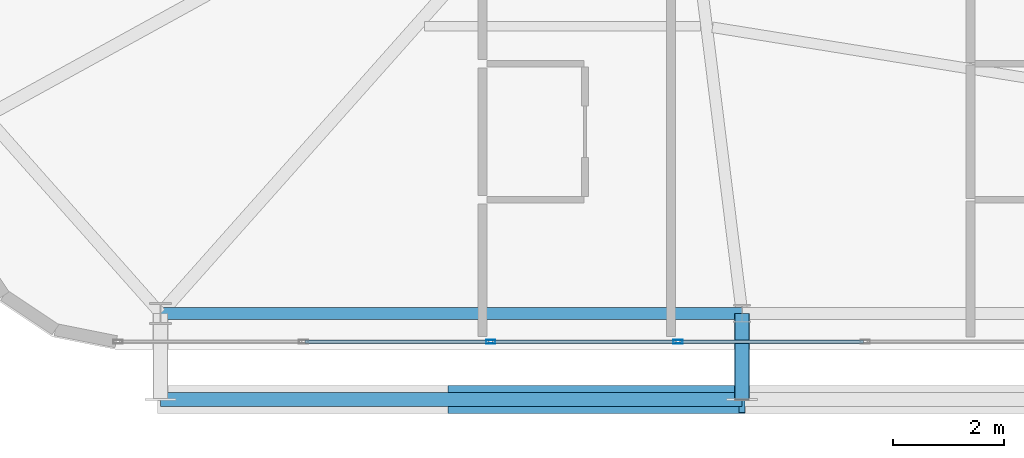
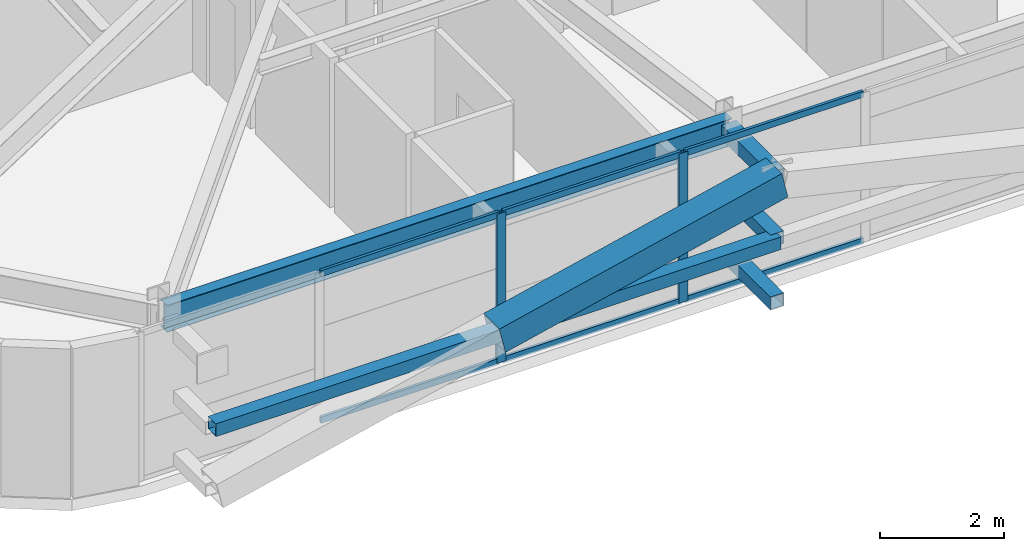
# One storey, part 6 of 58: 13 members, 1 beam, 1 element without a shape of its own.
"""IFC4 building model written with IfcOpenShell, lengths in metres."""

from ifc_helpers import new_model, si_unit, direction, frame, origin, origin_2d, place, context, subcontext, project, spatial, hollow_rectangle, i_section, extrude, source, transform, mapped, material, layer, layer_set, material_profile, profile_set, type_object, element, aggregate, save


model = new_model("IFC4")

# Units and contexts
model_context = context("Model", 3, precision=1e-05, world=origin(), true_north=direction((0.0, 1.0)))
body_context = subcontext(model_context, "Body", "Model", "MODEL_VIEW")
ifc_project = project(units=[si_unit("LENGTHUNIT", "METRE"), si_unit("AREAUNIT", "SQUARE_METRE"), si_unit("VOLUMEUNIT", "CUBIC_METRE"), si_unit("PLANEANGLEUNIT", "RADIAN"), si_unit("MASSUNIT", "GRAM", prefix="KILO")], contexts=[model_context])

# Site, building, storey
site_placement = place(None, origin())
site = spatial("IfcSite", under=ifc_project, at=site_placement, CompositionType="ELEMENT")
building_placement = place(site_placement, origin())
building = spatial("IfcBuilding", under=site, at=building_placement, Name="Taldren Reach Tower", CompositionType="ELEMENT")
storey_placement = place(building_placement, frame((0.0, 0.0, 35.699951171875)))
storey = spatial("IfcBuildingStorey", under=building, at=storey_placement, Name="L10", CompositionType="ELEMENT", Elevation=35.699951171875)

# Beam
ifc_material_1 = material(Name="Steel Gr 350 (350PLUS)", Category="steel")
ifc_material_profile_1 = material_profile(ifc_material_1, i_section(OverallWidth=0.208984375, OverallDepth=0.528076171875, WebThickness=0.009521484375, FlangeThickness=0.01318359375, at=origin_2d()), Name="530UB82.0")
ifc_profile_set_1 = profile_set([ifc_material_profile_1], Name="Steel Gr 350 (350PLUS)")
beam_type = type_object("IfcBeamType", Name="SP-UB530B", PredefinedType="SPANDREL", material=ifc_profile_set_1)
shared_shape_1 = source(origin(), body_context, "Body", "SweptSolid", [
    extrude(i_section(OverallWidth=0.208984375, OverallDepth=0.528076171875, WebThickness=0.009521484375, FlangeThickness=0.01318359375, at=origin_2d()), origin(), (0.0, 0.0, 1.0), 10.47998046875),
])
beam_placement = place(storey_placement, frame((8.800048828125, 2.14990234375, 2.666015625), z_axis=(1.0, 0.0, 0.0), x_axis=(0.0, 1.0, 0.0)))
element("IfcBeam", 1, at=beam_placement, inside=storey, type_object=beam_type, Name="Perimeter spandrel B1 S1-S2 L10", PredefinedType="SPANDREL", context=body_context, shape_type="MappedRepresentation", body=[
    mapped(shared_shape_1, transform((0.0, 0.0, 0.0), scale=1.0)),
])

# Members
ifc_material_2 = material(Name="Steel Gr 450 (C450L0)", Category="steel")
ifc_material_profile_2 = material_profile(ifc_material_2, hollow_rectangle(XDim=0.27490234375, YDim=0.27490234375, WallThickness=0.00927734375, at=origin_2d()), Name="275x275x9.3SHS")
ifc_profile_set_2 = profile_set([ifc_material_profile_2], Name="Steel Gr 450 (C450L0)")
member_type_1 = type_object("IfcMemberType", Name="MB-TIE273", PredefinedType="STRUT", material=ifc_profile_set_2)
shared_shape_2 = source(origin(), body_context, "Body", "SweptSolid", [
    extrude(hollow_rectangle(XDim=0.27490234375, YDim=0.27490234375, WallThickness=0.00927734375, at=origin_2d()), origin(), (0.0, 0.0, 1.0), 1.5498046875),
])
member_1_placement = place(storey_placement, frame((19.280029296875, 2.14990234375, 2.650146484375), z_axis=(0.0, -1.0, 0.0), x_axis=(1.0, 0.0, 0.0)))
element("IfcMember", 2, at=member_1_placement, inside=storey, type_object=member_type_1, Name="Exoskeleton diaphragm tie strut B1-S2 L10", PredefinedType="STRUT", context=body_context, shape_type="MappedRepresentation", body=[
    mapped(shared_shape_2, transform((0.0, 0.0, 0.0), scale=1.0)),
])
ifc_material_profile_3 = material_profile(ifc_material_2, hollow_rectangle(XDim=0.510009765625, YDim=0.510009765625, WallThickness=0.02001953125, at=origin_2d()), Name="510x510x20.0SHS")
ifc_profile_set_3 = profile_set([ifc_material_profile_3], Name="Steel Gr 450 (C450L0)")
member_type_2 = type_object("IfcMemberType", Name="MB-EXO508", PredefinedType="BRACE", material=ifc_profile_set_3)
shared_shape_3 = source(origin(), body_context, "Body", "SweptSolid", [
    extrude(hollow_rectangle(XDim=0.510009765625, YDim=0.510009765625, WallThickness=0.02001953125, at=origin_2d()), origin(), (0.0, 0.0, 1.0), 5.37890625),
])
member_2_placement = place(storey_placement, frame((14.0400390625, 0.60009765625, 1.43505859375), z_axis=(0.97415197996, 0.0, 0.225893603143), x_axis=(0.0, 1.0, 0.0)))
element("IfcMember", 3, at=member_2_placement, inside=storey, type_object=member_type_2, Name="Exoskeleton Diagrid Brace B1-S1 L10", PredefinedType="BRACE", context=body_context, shape_type="MappedRepresentation", body=[
    mapped(shared_shape_3, transform((0.0, 0.0, 0.0), scale=1.0)),
])
ifc_material_3 = material(Name="Steel Gr 350 (C350L0)", Category="steel")
ifc_material_profile_4 = material_profile(ifc_material_3, hollow_rectangle(XDim=0.25, YDim=0.25, WallThickness=0.010009765625, at=origin_2d()), Name="250x250x10.0SHS")
ifc_profile_set_4 = profile_set([ifc_material_profile_4], Name="Steel Gr 350 (C350L0)")
member_type_3 = type_object("IfcMemberType", Name="MB-POST250", PredefinedType="POST", material=ifc_profile_set_4)
shared_shape_4 = source(origin(), body_context, "Body", "SweptSolid", [
    extrude(hollow_rectangle(XDim=0.25, YDim=0.25, WallThickness=0.010009765625, at=origin_2d()), origin(), (0.0, 0.0, 1.0), 10.47998046875),
])
member_3_placement = place(storey_placement, frame((8.800048828125, 0.60009765625, 1.43505859375), z_axis=(1.0, 0.0, 0.0), x_axis=(0.0, 1.0, 0.0)))
element("IfcMember", 4, at=member_3_placement, inside=storey, type_object=member_type_3, Name="Exoskeleton mid-height ring chord B1-S1 L10", PredefinedType="POST", context=body_context, shape_type="MappedRepresentation", body=[
    mapped(shared_shape_4, transform((0.0, 0.0, 0.0), scale=1.0)),
])
shared_shape_5 = source(origin(), body_context, "Body", "SweptSolid", [
    extrude(hollow_rectangle(XDim=0.25, YDim=0.25, WallThickness=0.010009765625, at=origin_2d()), origin(), (0.0, 0.0, 1.0), 1.5498046875),
])
for number, where, z_axis, x_axis, name in (
    (5, (19.280029296875, 2.14990234375, 0.219970703125), (0.0, -1.0, 0.0), (1.0, 0.0, 0.0), "Exoskeleton base diaphragm tie strut B1-S2 L10"),
    (6, (19.280029296875, 2.14990234375, 1.43505859375), (0.0, -1.0, 0.0), (1.0, 0.0, 0.0), "Exoskeleton mid-tier diaphragm tie B1-S2 L10"),
):
    element("IfcMember", number, at=place(storey_placement, frame(where, z_axis=z_axis, x_axis=x_axis)), inside=storey, type_object=member_type_3, Name=name, PredefinedType="POST", context=body_context, shape_type="MappedRepresentation", body=[
        mapped(shared_shape_5, transform((0.0, 0.0, 0.0), scale=1.0)),
    ])

# Curtain wall, members
ifc_material_4 = material(Name="Aluminium and Low-E Glass Unitised System", Category="aluminium")
ifc_layer = layer(ifc_material_4, 0.159912109375)
ifc_layer_set = layer_set([ifc_layer], Name="Aluminium and Low-E Glass Unitised System")
curtain_wall_type = type_object("IfcCurtainWallType", Name="CW-SYS-2", PredefinedType="NOTDEFINED", material=ifc_layer_set)
curtain_wall_placement = place(storey_placement, origin())
curtain_wall = element("IfcCurtainWall", 7, at=curtain_wall_placement, inside=storey, type_object=curtain_wall_type, Name="Unitised curtain wall CW-L10-S", PredefinedType="NOTDEFINED")
ifc_material_5 = material(Name="Anodised Aluminium 6063-T6", Category="aluminium")
ifc_material_profile_5 = material_profile(ifc_material_5, hollow_rectangle(XDim=0.06494140625, YDim=0.1650390625, WallThickness=0.00390625, at=origin_2d()), Name="ALU-165x65x4RHS")
ifc_profile_set_5 = profile_set([ifc_material_profile_5], Name="Anodised Aluminium 6063-T6")
member_type_4 = type_object("IfcMemberType", Name="CW-MUL-165", PredefinedType="MULLION", material=ifc_profile_set_5)
shared_shape_6 = source(origin(), body_context, "Body", "SweptSolid", [
    extrude(hollow_rectangle(XDim=0.06494140625, YDim=0.1650390625, WallThickness=0.00390625, at=origin_2d()), origin(), (0.0, 0.0, 1.0), 2.929931640625),
])
member_4_placement = place(storey_placement, frame((14.75, 1.639892578125, 0.0), z_axis=(0.0, 0.0, 1.0), x_axis=(0.0, 1.0, 0.0)))
member_4 = element("IfcMember", 8, at=member_4_placement, type_object=member_type_4, Name="CW-2 mullion 3", PredefinedType="MULLION", context=body_context, shape_type="MappedRepresentation", body=[
    mapped(shared_shape_6, transform((0.0, 0.0, 0.0), scale=1.0)),
])
member_5_placement = place(storey_placement, frame((18.125, 1.639892578125, 0.0), z_axis=(0.0, 0.0, 1.0), x_axis=(0.0, 1.0, 0.0)))
member_5 = element("IfcMember", 9, at=member_5_placement, type_object=member_type_4, Name="CW-2 mullion 4", PredefinedType="MULLION", context=body_context, shape_type="MappedRepresentation", body=[
    mapped(shared_shape_6, transform((0.0, 0.0, 0.0), scale=1.0)),
])
ifc_material_profile_6 = material_profile(ifc_material_5, hollow_rectangle(XDim=0.054931640625, YDim=0.1201171875, WallThickness=0.0029296875, at=origin_2d()), Name="ALU-120x55x3RHS")
ifc_profile_set_6 = profile_set([ifc_material_profile_6], Name="Anodised Aluminium 6063-T6")
member_type_5 = type_object("IfcMemberType", Name="CW-TRN-135", PredefinedType="USERDEFINED", material=ifc_profile_set_6)
shared_shape_7 = source(origin(), body_context, "Body", "SweptSolid", [
    extrude(hollow_rectangle(XDim=0.054931640625, YDim=0.1201171875, WallThickness=0.0029296875, at=origin_2d()), origin(), (0.0, 0.0, 1.0), 3.31005859375),
])
member_6_placement = place(storey_placement, frame((11.407470703125, 1.639892578125, 0.027587890625), z_axis=(1.0, 0.0, 0.0), x_axis=(0.0, 1.0, 0.0)))
member_6 = element("IfcMember", 10, at=member_6_placement, type_object=member_type_5, Name="CW-2 transom 2.1", ObjectType="TRANSOM", PredefinedType="USERDEFINED", context=body_context, shape_type="MappedRepresentation", body=[
    mapped(shared_shape_7, transform((0.0, 0.0, 0.0), scale=1.0)),
])
member_7_placement = place(storey_placement, frame((11.407470703125, 1.639892578125, 2.902587890625), z_axis=(1.0, 0.0, 0.0), x_axis=(0.0, 1.0, 0.0)))
member_7 = element("IfcMember", 11, at=member_7_placement, type_object=member_type_5, Name="CW-2 transom 2.2", ObjectType="TRANSOM", PredefinedType="USERDEFINED", context=body_context, shape_type="MappedRepresentation", body=[
    mapped(shared_shape_7, transform((0.0, 0.0, 0.0), scale=1.0)),
])
member_8_placement = place(storey_placement, frame((14.782470703125, 1.639892578125, 0.027587890625), z_axis=(1.0, 0.0, 0.0), x_axis=(0.0, 1.0, 0.0)))
member_8 = element("IfcMember", 12, at=member_8_placement, type_object=member_type_5, Name="CW-2 transom 3.1", ObjectType="TRANSOM", PredefinedType="USERDEFINED", context=body_context, shape_type="MappedRepresentation", body=[
    mapped(shared_shape_7, transform((0.0, 0.0, 0.0), scale=1.0)),
])
member_9_placement = place(storey_placement, frame((14.782470703125, 1.639892578125, 2.902587890625), z_axis=(1.0, 0.0, 0.0), x_axis=(0.0, 1.0, 0.0)))
member_9 = element("IfcMember", 13, at=member_9_placement, type_object=member_type_5, Name="CW-2 transom 3.2", ObjectType="TRANSOM", PredefinedType="USERDEFINED", context=body_context, shape_type="MappedRepresentation", body=[
    mapped(shared_shape_7, transform((0.0, 0.0, 0.0), scale=1.0)),
])
member_10_placement = place(storey_placement, frame((18.157470703125, 1.639892578125, 0.027587890625), z_axis=(1.0, 0.0, 0.0), x_axis=(0.0, 1.0, 0.0)))
member_10 = element("IfcMember", 14, at=member_10_placement, type_object=member_type_5, Name="CW-2 transom 4.1", ObjectType="TRANSOM", PredefinedType="USERDEFINED", context=body_context, shape_type="MappedRepresentation", body=[
    mapped(shared_shape_7, transform((0.0, 0.0, 0.0), scale=1.0)),
])
member_11_placement = place(storey_placement, frame((18.157470703125, 1.639892578125, 2.902587890625), z_axis=(1.0, 0.0, 0.0), x_axis=(0.0, 1.0, 0.0)))
member_11 = element("IfcMember", 15, at=member_11_placement, type_object=member_type_5, Name="CW-2 transom 4.2", ObjectType="TRANSOM", PredefinedType="USERDEFINED", context=body_context, shape_type="MappedRepresentation", body=[
    mapped(shared_shape_7, transform((0.0, 0.0, 0.0), scale=1.0)),
])
aggregate(curtain_wall, [member_4, member_5, member_6, member_7, member_8, member_9, member_10, member_11])

save(model, "model.ifc")
